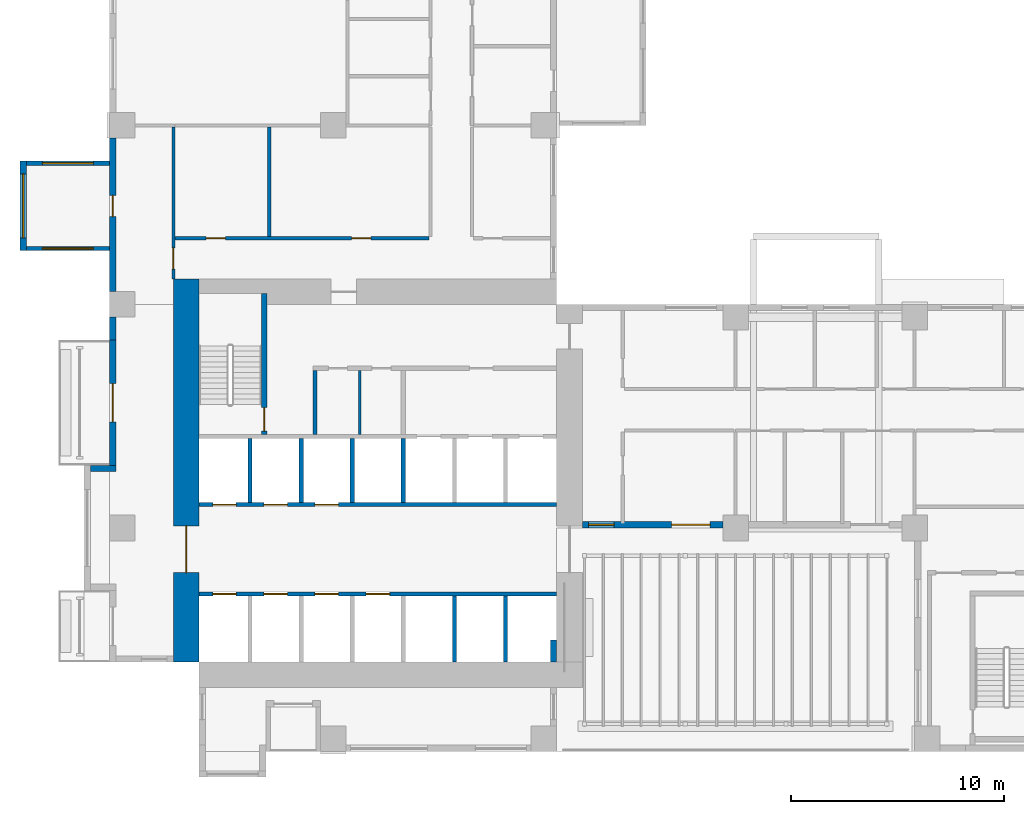
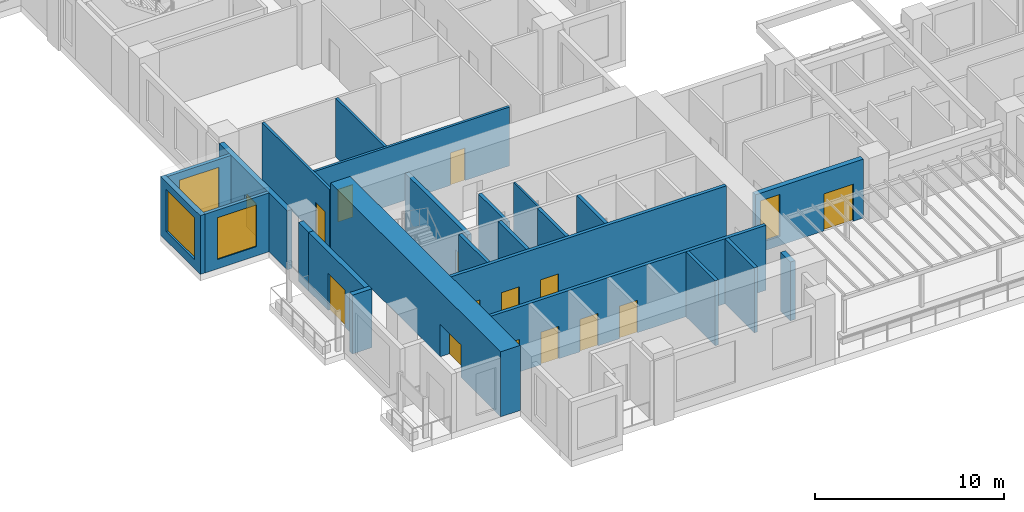
# One storey, part 4 of 17: 24 walls, 15 doors, 4 windows, 19 openings.
"""IFC4 building model written with IfcOpenShell, lengths in metres."""

from ifc_helpers import new_model, si_unit, direction, frame, frame_2d, origin, place, context, subcontext, project, spatial, rectangle, extrude, source, transform, mapped, material, layer, layer_set, type_object, element, fill, save


model = new_model("IFC4")

# Units and contexts
model_context = context("Model", 3, precision=1e-05, world=origin(), true_north=direction((0.0, 1.0)))
body_context = subcontext(model_context, "Body", "Model", "MODEL_VIEW")
ifc_project = project(units=[si_unit("LENGTHUNIT", "METRE"), si_unit("AREAUNIT", "SQUARE_METRE"), si_unit("VOLUMEUNIT", "CUBIC_METRE"), si_unit("PLANEANGLEUNIT", "RADIAN"), si_unit("MASSUNIT", "GRAM", prefix="KILO")], contexts=[model_context])

# Site, building, storey
site_placement = place(None, origin())
site = spatial("IfcSite", under=ifc_project, at=site_placement, CompositionType="ELEMENT")
building_placement = place(site_placement, origin())
building = spatial("IfcBuilding", under=site, at=building_placement, Name="Aurelian Terraces", CompositionType="ELEMENT")
storey_placement = place(building_placement, frame((0.0, 0.0, 48.9)))
storey = spatial("IfcBuildingStorey", under=building, at=storey_placement, Name="L09", CompositionType="ELEMENT", Elevation=48.9)

# Wall, opening, window
ifc_material_1 = material(Name="Concrete fc' 40 MPa", Category="concrete")
ifc_layer_1 = layer(ifc_material_1, 0.3)
ifc_layer_set_1 = layer_set([ifc_layer_1], Name="BOX BEARING WALL 300")
wall_type_1 = type_object("IfcWallType", Name="BOX BEARING WALL 300", PredefinedType="SOLIDWALL", material=ifc_layer_set_1)
wall_1_placement = place(storey_placement, frame((-4.05, 27.72, 0.0), z_axis=(0.0, 0.0, 1.0), x_axis=(0.0, -1.0, 0.0)))
wall_1 = element("IfcWall", 1, at=wall_1_placement, inside=storey, type_object=wall_type_1, Name="Box wall L09 J03", PredefinedType="SOLIDWALL", context=body_context, shape_type="SweptSolid", body=[
    extrude(rectangle(XDim=4.2, YDim=0.3, at=frame_2d((2.1, 0.0))), origin(), (0.0, 0.0, 1.0), 3.8),
])
shared_shape_1 = source(origin(), body_context, "Body", "SweptSolid", [
    extrude(rectangle(XDim=3.0, YDim=2.7, at=frame_2d((1.5, 1.35))), frame((0.0, 0.16, 0.0), z_axis=(0.0, -1.0, 0.0), x_axis=(1.0, 0.0, 0.0)), (0.0, 0.0, 1.0), 0.32),
])
opening_1_placement = place(wall_1_placement, frame((0.6, 0.0, 0.6)))
opening_1 = element("IfcOpeningElement", 2, at=opening_1_placement, cuts=wall_1, Name="Opening W3027", PredefinedType="OPENING", context=body_context, shape_type="MappedRepresentation", body=[
    mapped(shared_shape_1, transform((0.0, 0.0, 0.0), scale=1.0)),
])
ifc_material_2 = material(Name="Clear glazing", Category="glass")
window_type_1 = type_object("IfcWindowType", Name="W-3000x2700", PartitioningType="SINGLE_PANEL", PredefinedType="WINDOW", material=ifc_material_2)
shared_shape_2 = source(origin(), body_context, "Body", "SweptSolid", [
    extrude(rectangle(XDim=3.0, YDim=2.7, at=frame_2d((1.5, 1.35))), frame((0.0, 0.03, 0.0), z_axis=(0.0, -1.0, 0.0), x_axis=(1.0, 0.0, 0.0)), (0.0, 0.0, 1.0), 0.06),
])
window_1_placement = place(opening_1_placement, origin())
window_1 = element("IfcWindow", 3, at=window_1_placement, inside=storey, type_object=window_type_1, Name="Window L09 J03-F1", OverallHeight=2.7, OverallWidth=3.0, PartitioningType="SINGLE_PANEL", PredefinedType="WINDOW", context=body_context, shape_type="MappedRepresentation", body=[
    mapped(shared_shape_2, transform((0.0, 0.0, 0.0), scale=1.0)),
])
fill(opening_1, window_1)

# Wall
ifc_material_3 = material(Name="Terracotta rainscreen cladding", Category="masonry")
ifc_layer_2 = layer(ifc_material_3, 0.3)
ifc_layer_set_2 = layer_set([ifc_layer_2], Name="EW-300")
wall_type_2 = type_object("IfcWallType", Name="EW-300", PredefinedType="STANDARD", material=ifc_layer_set_2)
wall_2_placement = place(storey_placement, frame((20.85, 4.2, 0.0), z_axis=(0.0, 0.0, 1.0), x_axis=(0.0, 1.0, 0.0)))
element("IfcWall", 4, at=wall_2_placement, inside=storey, type_object=wall_type_2, Name="External wall L09 F02.4", PredefinedType="STANDARD", context=body_context, shape_type="SweptSolid", body=[
    extrude(rectangle(XDim=1.05, YDim=0.3, at=frame_2d((0.525, 0.0))), origin(), (0.0, 0.0, 1.0), 3.8),
])

# Wall, opening, door
ifc_material_4 = material(Name="Concrete fc' 83 MPa", Category="concrete")
ifc_layer_3 = layer(ifc_material_4, 1.2)
ifc_layer_set_3 = layer_set([ifc_layer_3], Name="CORE WALL 1200 FC83")
wall_type_3 = type_object("IfcWallType", Name="CORE WALL 1200 FC83", PredefinedType="SHEAR", material=ifc_layer_set_3)
shared_shape_3 = source(origin(), body_context, "Body", "SweptSolid", [
    extrude(rectangle(XDim=18.0, YDim=1.2, at=frame_2d((9.0, 0.0))), origin(), (0.0, 0.0, 1.0), 4.2),
])
wall_3_placement = place(storey_placement, frame((3.6, 4.2, 0.0), z_axis=(0.0, 0.0, 1.0), x_axis=(0.0, 1.0, 0.0)))
wall_3 = element("IfcWall", 5, at=wall_3_placement, inside=storey, type_object=wall_type_3, Name="Core wall W L09", PredefinedType="SHEAR", context=body_context, shape_type="MappedRepresentation", body=[
    mapped(shared_shape_3, transform((0.0, 0.0, 0.0), scale=1.0)),
])
shared_shape_4 = source(origin(), body_context, "Body", "SweptSolid", [
    extrude(rectangle(XDim=2.2, YDim=2.1, at=frame_2d((1.1, 1.05))), frame((0.0, 0.61, 0.0), z_axis=(0.0, -1.0, 0.0), x_axis=(1.0, 0.0, 0.0)), (0.0, 0.0, 1.0), 1.22),
])
opening_2_placement = place(wall_3_placement, frame((4.2, 0.0, 0.0)))
opening_2 = element("IfcOpeningElement", 6, at=opening_2_placement, cuts=wall_3, Name="Opening 61221", PredefinedType="OPENING", context=body_context, shape_type="MappedRepresentation", body=[
    mapped(shared_shape_4, transform((0.0, 0.0, 0.0), scale=1.0)),
])
ifc_material_5 = material(Name="Steel door leaf", Category="steel")
door_type_1 = type_object("IfcDoorType", Name="Core double door 2200x2100", OperationType="DOUBLE_DOOR_SINGLE_SWING", PredefinedType="DOOR", material=ifc_material_5)
shared_shape_5 = source(origin(), body_context, "Body", "SweptSolid", [
    extrude(rectangle(XDim=2.2, YDim=2.1, at=frame_2d((1.1, 1.05))), frame((0.0, 0.025, 0.0), z_axis=(0.0, -1.0, 0.0), x_axis=(1.0, 0.0, 0.0)), (0.0, 0.0, 1.0), 0.05),
])
door_1_placement = place(opening_2_placement, origin())
door_1 = element("IfcDoor", 7, at=door_1_placement, inside=storey, type_object=door_type_1, Name="Core door 61221", OperationType="DOUBLE_DOOR_SINGLE_SWING", OverallHeight=2.1, OverallWidth=2.2, PredefinedType="DOOR", context=body_context, shape_type="MappedRepresentation", body=[
    mapped(shared_shape_5, transform((0.0, 0.0, 0.0), scale=1.0)),
])
fill(opening_2, door_1)

shared_shape_6 = source(origin(), body_context, "Body", "SweptSolid", [
    extrude(rectangle(XDim=7.2, YDim=0.3, at=frame_2d((3.6, 0.0))), origin(), (0.0, 0.0, 1.0), 3.8),
])
wall_4_placement = place(storey_placement, frame((0.15, 28.8, 0.0), z_axis=(0.0, 0.0, 1.0), x_axis=(0.0, -1.0, 0.0)))
wall_4 = element("IfcWall", 8, at=wall_4_placement, inside=storey, type_object=wall_type_2, Name="External wall L09 F18.40", PredefinedType="STANDARD", context=body_context, shape_type="MappedRepresentation", body=[
    mapped(shared_shape_6, transform((0.0, 0.0, 0.0), scale=1.0)),
])
shared_shape_7 = source(origin(), body_context, "Body", "SweptSolid", [
    extrude(rectangle(XDim=1.0, YDim=2.1, at=frame_2d((0.5, 1.05))), frame((0.0, 0.16, 0.0), z_axis=(0.0, -1.0, 0.0), x_axis=(1.0, 0.0, 0.0)), (0.0, 0.0, 1.0), 0.32),
])
opening_3_placement = place(wall_4_placement, frame((2.68, 0.0, 0.0)))
opening_3 = element("IfcOpeningElement", 9, at=opening_3_placement, cuts=wall_4, Name="Opening 809003", PredefinedType="OPENING", context=body_context, shape_type="MappedRepresentation", body=[
    mapped(shared_shape_7, transform((0.0, 0.0, 0.0), scale=1.0)),
])
ifc_material_6 = material(Name="Timber door leaf", Category="wood")
door_type_2 = type_object("IfcDoorType", Name="Room door 1000x2100 left", OperationType="SINGLE_SWING_LEFT", PredefinedType="DOOR", material=ifc_material_6)
shared_shape_8 = source(origin(), body_context, "Body", "SweptSolid", [
    extrude(rectangle(XDim=1.0, YDim=2.1, at=frame_2d((0.5, 1.05))), frame((0.0, 0.025, 0.0), z_axis=(0.0, -1.0, 0.0), x_axis=(1.0, 0.0, 0.0)), (0.0, 0.0, 1.0), 0.05),
])
door_2_placement = place(opening_3_placement, origin())
door_2 = element("IfcDoor", 10, at=door_2_placement, inside=storey, type_object=door_type_2, Name="Door 809003", OperationType="SINGLE_SWING_LEFT", OverallHeight=2.1, OverallWidth=1.0, PredefinedType="DOOR", context=body_context, shape_type="MappedRepresentation", body=[
    mapped(shared_shape_8, transform((0.0, 0.0, 0.0), scale=1.0)),
])
fill(opening_3, door_2)

# Wall
shared_shape_9 = source(origin(), body_context, "Body", "SweptSolid", [
    extrude(rectangle(XDim=1.2, YDim=0.3, at=frame_2d((0.6, 0.0))), origin(), (0.0, 0.0, 1.0), 3.8),
])
wall_5_placement = place(storey_placement, frame((0.3, 13.29, 0.0), z_axis=(0.0, 0.0, 1.0), x_axis=(-1.0, 0.0, 0.0)))
element("IfcWall", 11, at=wall_5_placement, inside=storey, type_object=wall_type_2, Name="Bay return L09 F18.42.1", PredefinedType="STANDARD", context=body_context, shape_type="MappedRepresentation", body=[
    mapped(shared_shape_9, transform((0.0, 0.0, 0.0), scale=1.0)),
])

# Wall, opening, door
shared_shape_10 = source(origin(), body_context, "Body", "SweptSolid", [
    extrude(rectangle(XDim=5.88, YDim=0.3, at=frame_2d((2.94, 0.0))), origin(), (0.0, 0.0, 1.0), 3.8),
])
wall_6_placement = place(storey_placement, frame((0.15, 19.32, 0.0), z_axis=(0.0, 0.0, 1.0), x_axis=(0.0, -1.0, 0.0)))
wall_6 = element("IfcWall", 12, at=wall_6_placement, inside=storey, type_object=wall_type_2, Name="External wall L09 F18.41", PredefinedType="STANDARD", context=body_context, shape_type="MappedRepresentation", body=[
    mapped(shared_shape_10, transform((0.0, 0.0, 0.0), scale=1.0)),
])
shared_shape_11 = source(origin(), body_context, "Body", "SweptSolid", [
    extrude(rectangle(XDim=1.8, YDim=2.4, at=frame_2d((0.9, 1.2))), frame((0.0, 0.16, 0.0), z_axis=(0.0, -1.0, 0.0), x_axis=(1.0, 0.0, 0.0)), (0.0, 0.0, 1.0), 0.32),
])
opening_4_placement = place(wall_6_placement, frame((2.04, 0.0, 0.0)))
opening_4 = element("IfcOpeningElement", 13, at=opening_4_placement, cuts=wall_6, Name="Opening 80905", PredefinedType="OPENING", context=body_context, shape_type="MappedRepresentation", body=[
    mapped(shared_shape_11, transform((0.0, 0.0, 0.0), scale=1.0)),
])
door_type_3 = type_object("IfcDoorType", Name="BD-1800x2400", OperationType="SLIDING_TO_LEFT", PredefinedType="DOOR", material=ifc_material_2)
shared_shape_12 = source(origin(), body_context, "Body", "SweptSolid", [
    extrude(rectangle(XDim=1.8, YDim=2.4, at=frame_2d((0.9, 1.2))), frame((0.0, 0.025, 0.0), z_axis=(0.0, -1.0, 0.0), x_axis=(1.0, 0.0, 0.0)), (0.0, 0.0, 1.0), 0.05),
])
door_3_placement = place(opening_4_placement, origin())
door_3 = element("IfcDoor", 14, at=door_3_placement, inside=storey, type_object=door_type_3, Name="Balcony door L09 F18.41", OperationType="SLIDING_TO_LEFT", OverallHeight=2.4, OverallWidth=1.8, PredefinedType="DOOR", context=body_context, shape_type="MappedRepresentation", body=[
    mapped(shared_shape_12, transform((0.0, 0.0, 0.0), scale=1.0)),
])
fill(opening_4, door_3)

# Wall
shared_shape_13 = source(origin(), body_context, "Body", "SweptSolid", [
    extrude(rectangle(XDim=1.08, YDim=0.3, at=frame_2d((0.54, 0.0))), origin(), (0.0, 0.0, 1.0), 3.8),
])
wall_7_placement = place(storey_placement, frame((0.15, 20.4, 0.0), z_axis=(0.0, 0.0, 1.0), x_axis=(0.0, -1.0, 0.0)))
element("IfcWall", 15, at=wall_7_placement, inside=storey, type_object=wall_type_2, Name="External wall L09 F18.40", PredefinedType="STANDARD", context=body_context, shape_type="MappedRepresentation", body=[
    mapped(shared_shape_13, transform((0.0, 0.0, 0.0), scale=1.0)),
])

# Wall, opening, window
ifc_layer_4 = layer(ifc_material_1, 0.2)
ifc_layer_set_4 = layer_set([ifc_layer_4], Name="BOX BEARING WALL 200")
wall_type_4 = type_object("IfcWallType", Name="BOX BEARING WALL 200", PredefinedType="SOLIDWALL", material=ifc_layer_set_4)
shared_shape_14 = source(origin(), body_context, "Body", "SweptSolid", [
    extrude(rectangle(XDim=3.9, YDim=0.2, at=frame_2d((1.95, 0.0))), origin(), (0.0, 0.0, 1.0), 3.8),
])
wall_8_placement = place(storey_placement, frame((0.0, 27.62, 0.0), z_axis=(0.0, 0.0, 1.0), x_axis=(-1.0, 0.0, 0.0)))
wall_8 = element("IfcWall", 16, at=wall_8_placement, inside=storey, type_object=wall_type_4, Name="Box return L09 J03.1", PredefinedType="SOLIDWALL", context=body_context, shape_type="MappedRepresentation", body=[
    mapped(shared_shape_14, transform((0.0, 0.0, 0.0), scale=1.0)),
])
shared_shape_15 = source(origin(), body_context, "Body", "SweptSolid", [
    extrude(rectangle(XDim=2.4, YDim=2.7, at=frame_2d((1.2, 1.35))), frame((0.0, 0.11, 0.0), z_axis=(0.0, -1.0, 0.0), x_axis=(1.0, 0.0, 0.0)), (0.0, 0.0, 1.0), 0.22),
])
opening_5_placement = place(wall_8_placement, frame((0.75, 0.0, 0.6)))
opening_5 = element("IfcOpeningElement", 17, at=opening_5_placement, cuts=wall_8, Name="Opening W2427", PredefinedType="OPENING", context=body_context, shape_type="MappedRepresentation", body=[
    mapped(shared_shape_15, transform((0.0, 0.0, 0.0), scale=1.0)),
])
window_type_2 = type_object("IfcWindowType", Name="W-2400x2700", PartitioningType="SINGLE_PANEL", PredefinedType="WINDOW", material=ifc_material_2)
shared_shape_16 = source(origin(), body_context, "Body", "SweptSolid", [
    extrude(rectangle(XDim=2.4, YDim=2.7, at=frame_2d((1.2, 1.35))), frame((0.0, 0.03, 0.0), z_axis=(0.0, -1.0, 0.0), x_axis=(1.0, 0.0, 0.0)), (0.0, 0.0, 1.0), 0.06),
])
window_2_placement = place(opening_5_placement, origin())
window_2 = element("IfcWindow", 18, at=window_2_placement, inside=storey, type_object=window_type_2, Name="Window L09 J03-S1", OverallHeight=2.7, OverallWidth=2.4, PartitioningType="SINGLE_PANEL", PredefinedType="WINDOW", context=body_context, shape_type="MappedRepresentation", body=[
    mapped(shared_shape_16, transform((0.0, 0.0, 0.0), scale=1.0)),
])
fill(opening_5, window_2)

wall_9_placement = place(storey_placement, frame((0.0, 23.62, 0.0), z_axis=(0.0, 0.0, 1.0), x_axis=(-1.0, 0.0, 0.0)))
wall_9 = element("IfcWall", 19, at=wall_9_placement, inside=storey, type_object=wall_type_4, Name="Box return L09 J03.2", PredefinedType="SOLIDWALL", context=body_context, shape_type="MappedRepresentation", body=[
    mapped(shared_shape_14, transform((0.0, 0.0, 0.0), scale=1.0)),
])
opening_6_placement = place(wall_9_placement, frame((0.75, 0.0, 0.6)))
opening_6 = element("IfcOpeningElement", 20, at=opening_6_placement, cuts=wall_9, Name="Opening W2427", PredefinedType="OPENING", context=body_context, shape_type="MappedRepresentation", body=[
    mapped(shared_shape_15, transform((0.0, 0.0, 0.0), scale=1.0)),
])
window_3_placement = place(opening_6_placement, origin())
window_3 = element("IfcWindow", 21, at=window_3_placement, inside=storey, type_object=window_type_2, Name="Window L09 J03-S2", OverallHeight=2.7, OverallWidth=2.4, PartitioningType="SINGLE_PANEL", PredefinedType="WINDOW", context=body_context, shape_type="MappedRepresentation", body=[
    mapped(shared_shape_16, transform((0.0, 0.0, 0.0), scale=1.0)),
])
fill(opening_6, window_3)

# Wall, openings, door, window
shared_shape_17 = source(origin(), body_context, "Body", "SweptSolid", [
    extrude(rectangle(XDim=6.6, YDim=0.3, at=frame_2d((3.3, 0.0))), origin(), (0.0, 0.0, 1.0), 3.8),
])
wall_10_placement = place(storey_placement, frame((22.2, 10.65, 0.0), z_axis=(0.0, 0.0, 1.0), x_axis=(1.0, 0.0, 0.0)))
wall_10 = element("IfcWall", 22, at=wall_10_placement, inside=storey, type_object=wall_type_2, Name="External wall L09 F03.6", PredefinedType="STANDARD", context=body_context, shape_type="MappedRepresentation", body=[
    mapped(shared_shape_17, transform((0.0, 0.0, 0.0), scale=1.0)),
])
shared_shape_18 = source(origin(), body_context, "Body", "SweptSolid", [
    extrude(rectangle(XDim=1.2, YDim=2.7, at=frame_2d((0.6, 1.35))), frame((0.0, 0.16, 0.0), z_axis=(0.0, -1.0, 0.0), x_axis=(1.0, 0.0, 0.0)), (0.0, 0.0, 1.0), 0.32),
])
opening_7_placement = place(wall_10_placement, frame((0.3, 0.0, 0.6)))
opening_7 = element("IfcOpeningElement", 23, at=opening_7_placement, cuts=wall_10, Name="Opening W1227", PredefinedType="OPENING", context=body_context, shape_type="MappedRepresentation", body=[
    mapped(shared_shape_18, transform((0.0, 0.0, 0.0), scale=1.0)),
])
opening_8_placement = place(wall_10_placement, frame((4.2, 0.0, 0.0)))
opening_8 = element("IfcOpeningElement", 24, at=opening_8_placement, cuts=wall_10, Name="Opening 80902", PredefinedType="OPENING", context=body_context, shape_type="MappedRepresentation", body=[
    mapped(shared_shape_11, transform((0.0, 0.0, 0.0), scale=1.0)),
])
door_4_placement = place(opening_8_placement, origin())
door_4 = element("IfcDoor", 25, at=door_4_placement, inside=storey, type_object=door_type_3, Name="Terrace door L09 L09-F03-06.2", OperationType="SLIDING_TO_LEFT", OverallHeight=2.4, OverallWidth=1.8, PredefinedType="DOOR", context=body_context, shape_type="MappedRepresentation", body=[
    mapped(shared_shape_12, transform((0.0, 0.0, 0.0), scale=1.0)),
])
fill(opening_8, door_4)
window_type_3 = type_object("IfcWindowType", Name="W-1200x2700", PartitioningType="SINGLE_PANEL", PredefinedType="WINDOW", material=ifc_material_2)
shared_shape_19 = source(origin(), body_context, "Body", "SweptSolid", [
    extrude(rectangle(XDim=1.2, YDim=2.7, at=frame_2d((0.6, 1.35))), frame((0.0, 0.03, 0.0), z_axis=(0.0, -1.0, 0.0), x_axis=(1.0, 0.0, 0.0)), (0.0, 0.0, 1.0), 0.06),
])
window_4_placement = place(opening_7_placement, origin())
window_4 = element("IfcWindow", 26, at=window_4_placement, inside=storey, type_object=window_type_3, Name="Window L09 L09-F03-06-0", OverallHeight=2.7, OverallWidth=1.2, PartitioningType="SINGLE_PANEL", PredefinedType="WINDOW", context=body_context, shape_type="MappedRepresentation", body=[
    mapped(shared_shape_19, transform((0.0, 0.0, 0.0), scale=1.0)),
])
fill(opening_7, window_4)

# Walls
ifc_layer_5 = layer(ifc_material_1, 0.2)
ifc_layer_set_5 = layer_set([ifc_layer_5], Name="Lift shaft wall 200")
wall_type_5 = type_object("IfcWallType", Name="Lift shaft wall 200", PredefinedType="SOLIDWALL", material=ifc_layer_set_5)
shared_shape_20 = source(origin(), body_context, "Body", "SweptSolid", [
    extrude(rectangle(XDim=3.1, YDim=0.2, at=frame_2d((1.55, 0.0))), origin(), (0.0, 0.0, 1.0), 4.2),
])
for number, where, z_axis, x_axis, name in (
    (27, (16.2, 4.2, 0.0), (0.0, 0.0, 1.0), (0.0, 1.0, 0.0), "L09 core wall CD-A5"),
    (28, (18.6, 4.2, 0.0), (0.0, 0.0, 1.0), (0.0, 1.0, 0.0), "L09 core wall CD-A6"),
):
    element("IfcWall", number, at=place(storey_placement, frame(where, z_axis=z_axis, x_axis=x_axis)), inside=storey, type_object=wall_type_5, Name=name, PredefinedType="SOLIDWALL", context=body_context, shape_type="MappedRepresentation", body=[
        mapped(shared_shape_20, transform((0.0, 0.0, 0.0), scale=1.0)),
    ])
shared_shape_21 = source(origin(), body_context, "Body", "SweptSolid", [
    extrude(rectangle(XDim=3.0, YDim=0.2, at=frame_2d((1.5, 0.0))), origin(), (0.0, 0.0, 1.0), 4.2),
])
for number, where, z_axis, x_axis, name in (
    (29, (6.6, 11.7, 0.0), (0.0, 0.0, 1.0), (0.0, 1.0, 0.0), "L09 core wall CD-B1"),
    (30, (9.0, 11.7, 0.0), (0.0, 0.0, 1.0), (0.0, 1.0, 0.0), "L09 core wall CD-B2"),
    (31, (11.4, 11.7, 0.0), (0.0, 0.0, 1.0), (0.0, 1.0, 0.0), "L09 core wall CD-B3"),
    (32, (13.8, 11.7, 0.0), (0.0, 0.0, 1.0), (0.0, 1.0, 0.0), "L09 core wall CD-B4"),
):
    element("IfcWall", number, at=place(storey_placement, frame(where, z_axis=z_axis, x_axis=x_axis)), inside=storey, type_object=wall_type_5, Name=name, PredefinedType="SOLIDWALL", context=body_context, shape_type="MappedRepresentation", body=[
        mapped(shared_shape_21, transform((0.0, 0.0, 0.0), scale=1.0)),
    ])

# Wall, openings, doors
shared_shape_22 = source(origin(), body_context, "Body", "SweptSolid", [
    extrude(rectangle(XDim=16.8, YDim=0.2, at=frame_2d((8.4, 0.0))), origin(), (0.0, 0.0, 1.0), 4.2),
])
wall_11_placement = place(storey_placement, frame((4.2, 7.4, 0.0), z_axis=(0.0, 0.0, 1.0), x_axis=(1.0, 0.0, 0.0)))
wall_11 = element("IfcWall", 33, at=wall_11_placement, inside=storey, type_object=wall_type_5, Name="L09 core wall CF-AF1", PredefinedType="SOLIDWALL", context=body_context, shape_type="MappedRepresentation", body=[
    mapped(shared_shape_22, transform((0.0, 0.0, 0.0), scale=1.0)),
])
shared_shape_23 = source(origin(), body_context, "Body", "SweptSolid", [
    extrude(rectangle(XDim=1.1, YDim=2.1, at=frame_2d((0.55, 1.05))), frame((0.0, 0.11, 0.0), z_axis=(0.0, -1.0, 0.0), x_axis=(1.0, 0.0, 0.0)), (0.0, 0.0, 1.0), 0.22),
])
opening_9_placement = place(wall_11_placement, frame((0.65, 0.0, 0.0)))
opening_9 = element("IfcOpeningElement", 34, at=opening_9_placement, cuts=wall_11, Name="Opening 61200", PredefinedType="OPENING", context=body_context, shape_type="MappedRepresentation", body=[
    mapped(shared_shape_23, transform((0.0, 0.0, 0.0), scale=1.0)),
])
opening_10_placement = place(wall_11_placement, frame((3.05, 0.0, 0.0)))
opening_10 = element("IfcOpeningElement", 35, at=opening_10_placement, cuts=wall_11, Name="Opening 61201", PredefinedType="OPENING", context=body_context, shape_type="MappedRepresentation", body=[
    mapped(shared_shape_23, transform((0.0, 0.0, 0.0), scale=1.0)),
])
opening_11_placement = place(wall_11_placement, frame((5.45, 0.0, 0.0)))
opening_11 = element("IfcOpeningElement", 36, at=opening_11_placement, cuts=wall_11, Name="Opening 61202", PredefinedType="OPENING", context=body_context, shape_type="MappedRepresentation", body=[
    mapped(shared_shape_23, transform((0.0, 0.0, 0.0), scale=1.0)),
])
opening_12_placement = place(wall_11_placement, frame((7.85, 0.0, 0.0)))
opening_12 = element("IfcOpeningElement", 37, at=opening_12_placement, cuts=wall_11, Name="Opening 61203", PredefinedType="OPENING", context=body_context, shape_type="MappedRepresentation", body=[
    mapped(shared_shape_23, transform((0.0, 0.0, 0.0), scale=1.0)),
])
ifc_material_7 = material(Name="Stainless steel", Category="steel")
door_type_4 = type_object("IfcDoorType", Name="Lift landing door 1100x2100", OperationType="SLIDING_TO_LEFT", PredefinedType="DOOR", material=ifc_material_7)
shared_shape_24 = source(origin(), body_context, "Body", "SweptSolid", [
    extrude(rectangle(XDim=1.1, YDim=2.1, at=frame_2d((0.55, 1.05))), frame((0.0, 0.025, 0.0), z_axis=(0.0, -1.0, 0.0), x_axis=(1.0, 0.0, 0.0)), (0.0, 0.0, 1.0), 0.05),
])
door_5_placement = place(opening_9_placement, origin())
door_5 = element("IfcDoor", 38, at=door_5_placement, inside=storey, type_object=door_type_4, Name="Lift landing door LL1 L09", OperationType="SLIDING_TO_LEFT", OverallHeight=2.1, OverallWidth=1.1, PredefinedType="DOOR", context=body_context, shape_type="MappedRepresentation", body=[
    mapped(shared_shape_24, transform((0.0, 0.0, 0.0), scale=1.0)),
])
fill(opening_9, door_5)
door_6_placement = place(opening_10_placement, origin())
door_6 = element("IfcDoor", 39, at=door_6_placement, inside=storey, type_object=door_type_4, Name="Lift landing door LL2 L09", OperationType="SLIDING_TO_LEFT", OverallHeight=2.1, OverallWidth=1.1, PredefinedType="DOOR", context=body_context, shape_type="MappedRepresentation", body=[
    mapped(shared_shape_24, transform((0.0, 0.0, 0.0), scale=1.0)),
])
fill(opening_10, door_6)
door_7_placement = place(opening_11_placement, origin())
door_7 = element("IfcDoor", 40, at=door_7_placement, inside=storey, type_object=door_type_4, Name="Lift landing door LL3 L09", OperationType="SLIDING_TO_LEFT", OverallHeight=2.1, OverallWidth=1.1, PredefinedType="DOOR", context=body_context, shape_type="MappedRepresentation", body=[
    mapped(shared_shape_24, transform((0.0, 0.0, 0.0), scale=1.0)),
])
fill(opening_11, door_7)
door_8_placement = place(opening_12_placement, origin())
door_8 = element("IfcDoor", 41, at=door_8_placement, inside=storey, type_object=door_type_4, Name="Lift landing door LL4 L09", OperationType="SLIDING_TO_LEFT", OverallHeight=2.1, OverallWidth=1.1, PredefinedType="DOOR", context=body_context, shape_type="MappedRepresentation", body=[
    mapped(shared_shape_24, transform((0.0, 0.0, 0.0), scale=1.0)),
])
fill(opening_12, door_8)

wall_12_placement = place(storey_placement, frame((4.2, 11.6, 0.0), z_axis=(0.0, 0.0, 1.0), x_axis=(1.0, 0.0, 0.0)))
wall_12 = element("IfcWall", 42, at=wall_12_placement, inside=storey, type_object=wall_type_5, Name="L09 core wall CF-BF1", PredefinedType="SOLIDWALL", context=body_context, shape_type="MappedRepresentation", body=[
    mapped(shared_shape_22, transform((0.0, 0.0, 0.0), scale=1.0)),
])
opening_13_placement = place(wall_12_placement, frame((0.65, 0.0, 0.0)))
opening_13 = element("IfcOpeningElement", 43, at=opening_13_placement, cuts=wall_12, Name="Opening 61204", PredefinedType="OPENING", context=body_context, shape_type="MappedRepresentation", body=[
    mapped(shared_shape_23, transform((0.0, 0.0, 0.0), scale=1.0)),
])
opening_14_placement = place(wall_12_placement, frame((3.05, 0.0, 0.0)))
opening_14 = element("IfcOpeningElement", 44, at=opening_14_placement, cuts=wall_12, Name="Opening 61205", PredefinedType="OPENING", context=body_context, shape_type="MappedRepresentation", body=[
    mapped(shared_shape_23, transform((0.0, 0.0, 0.0), scale=1.0)),
])
opening_15_placement = place(wall_12_placement, frame((5.45, 0.0, 0.0)))
opening_15 = element("IfcOpeningElement", 45, at=opening_15_placement, cuts=wall_12, Name="Opening 61206", PredefinedType="OPENING", context=body_context, shape_type="MappedRepresentation", body=[
    mapped(shared_shape_23, transform((0.0, 0.0, 0.0), scale=1.0)),
])
door_9_placement = place(opening_13_placement, origin())
door_9 = element("IfcDoor", 46, at=door_9_placement, inside=storey, type_object=door_type_4, Name="Lift landing door LL5 L09", OperationType="SLIDING_TO_LEFT", OverallHeight=2.1, OverallWidth=1.1, PredefinedType="DOOR", context=body_context, shape_type="MappedRepresentation", body=[
    mapped(shared_shape_24, transform((0.0, 0.0, 0.0), scale=1.0)),
])
fill(opening_13, door_9)
door_10_placement = place(opening_14_placement, origin())
door_10 = element("IfcDoor", 47, at=door_10_placement, inside=storey, type_object=door_type_4, Name="Lift landing door LL6 L09", OperationType="SLIDING_TO_LEFT", OverallHeight=2.1, OverallWidth=1.1, PredefinedType="DOOR", context=body_context, shape_type="MappedRepresentation", body=[
    mapped(shared_shape_24, transform((0.0, 0.0, 0.0), scale=1.0)),
])
fill(opening_14, door_10)
door_11_placement = place(opening_15_placement, origin())
door_11 = element("IfcDoor", 48, at=door_11_placement, inside=storey, type_object=door_type_4, Name="Lift landing door LL7 L09", OperationType="SLIDING_TO_LEFT", OverallHeight=2.1, OverallWidth=1.1, PredefinedType="DOOR", context=body_context, shape_type="MappedRepresentation", body=[
    mapped(shared_shape_24, transform((0.0, 0.0, 0.0), scale=1.0)),
])
fill(opening_15, door_11)

# Walls
ifc_material_8 = material(Name="Gypsum board on steel studs", Category="steel")
ifc_layer_6 = layer(ifc_material_8, 0.2)
ifc_layer_set_6 = layer_set([ifc_layer_6], Name="Core partition 200")
wall_type_6 = type_object("IfcWallType", Name="Core partition 200", PredefinedType="PARTITIONING", material=ifc_layer_set_6)
shared_shape_25 = source(origin(), body_context, "Body", "SweptSolid", [
    extrude(rectangle(XDim=3.0, YDim=0.2, at=frame_2d((1.5, 0.0))), origin(), (0.0, 0.0, 1.0), 3.8),
])
wall_13_placement = place(storey_placement, frame((9.65, 14.9, 0.0), z_axis=(0.0, 0.0, 1.0), x_axis=(0.0, 1.0, 0.0)))
element("IfcWall", 49, at=wall_13_placement, inside=storey, type_object=wall_type_6, Name="L09 core wall CP-VEST", PredefinedType="PARTITIONING", context=body_context, shape_type="MappedRepresentation", body=[
    mapped(shared_shape_25, transform((0.0, 0.0, 0.0), scale=1.0)),
])
ifc_layer_7 = layer(ifc_material_8, 0.1)
ifc_layer_set_7 = layer_set([ifc_layer_7], Name="Core partition 100")
wall_type_7 = type_object("IfcWallType", Name="Core partition 100", PredefinedType="PARTITIONING", material=ifc_layer_set_7)
shared_shape_26 = source(origin(), body_context, "Body", "SweptSolid", [
    extrude(rectangle(XDim=3.0, YDim=0.1, at=frame_2d((1.5, 0.0))), origin(), (0.0, 0.0, 1.0), 3.8),
])
wall_14_placement = place(storey_placement, frame((11.75, 14.9, 0.0), z_axis=(0.0, 0.0, 1.0), x_axis=(0.0, 1.0, 0.0)))
element("IfcWall", 50, at=wall_14_placement, inside=storey, type_object=wall_type_7, Name="L09 core wall CP-SV1", PredefinedType="PARTITIONING", context=body_context, shape_type="MappedRepresentation", body=[
    mapped(shared_shape_26, transform((0.0, 0.0, 0.0), scale=1.0)),
])

# Wall, opening, door
ifc_layer_8 = layer(ifc_material_1, 0.25)
ifc_layer_set_8 = layer_set([ifc_layer_8], Name="Stair enclosure wall 250")
wall_type_8 = type_object("IfcWallType", Name="Stair enclosure wall 250", PredefinedType="SOLIDWALL", material=ifc_layer_set_8)
shared_shape_27 = source(origin(), body_context, "Body", "SweptSolid", [
    extrude(rectangle(XDim=6.6, YDim=0.25, at=frame_2d((3.3, 0.0))), origin(), (0.0, 0.0, 1.0), 3.8),
])
wall_15_placement = place(storey_placement, frame((7.275, 14.9, 0.0), z_axis=(0.0, 0.0, 1.0), x_axis=(0.0, 1.0, 0.0)))
wall_15 = element("IfcWall", 51, at=wall_15_placement, inside=storey, type_object=wall_type_8, Name="L09 core wall ST-S1-E", PredefinedType="SOLIDWALL", context=body_context, shape_type="MappedRepresentation", body=[
    mapped(shared_shape_27, transform((0.0, 0.0, 0.0), scale=1.0)),
])
shared_shape_28 = source(origin(), body_context, "Body", "SweptSolid", [
    extrude(rectangle(XDim=1.1, YDim=2.1, at=frame_2d((0.55, 1.05))), frame((0.0, 0.135, 0.0), z_axis=(0.0, -1.0, 0.0), x_axis=(1.0, 0.0, 0.0)), (0.0, 0.0, 1.0), 0.27),
])
opening_16_placement = place(wall_15_placement, frame((0.15, 0.0, 0.0)))
opening_16 = element("IfcOpeningElement", 52, at=opening_16_placement, cuts=wall_15, Name="Opening 61210", PredefinedType="OPENING", context=body_context, shape_type="MappedRepresentation", body=[
    mapped(shared_shape_28, transform((0.0, 0.0, 0.0), scale=1.0)),
])
door_type_5 = type_object("IfcDoorType", Name="Core fire door 1100x2100", OperationType="SINGLE_SWING_LEFT", PredefinedType="DOOR", material=ifc_material_5)
door_12_placement = place(opening_16_placement, origin())
door_12 = element("IfcDoor", 53, at=door_12_placement, inside=storey, type_object=door_type_5, Name="Stair door 61210", OperationType="SINGLE_SWING_LEFT", OverallHeight=2.1, OverallWidth=1.1, PredefinedType="DOOR", context=body_context, shape_type="MappedRepresentation", body=[
    mapped(shared_shape_24, transform((0.0, 0.0, 0.0), scale=1.0)),
])
fill(opening_16, door_12)

# Wall
ifc_layer_9 = layer(ifc_material_8, 0.15)
ifc_layer_set_9 = layer_set([ifc_layer_9], Name="Partition 150")
wall_type_9 = type_object("IfcWallType", Name="Partition 150", PredefinedType="PARTITIONING", material=ifc_layer_set_9)
shared_shape_29 = source(origin(), body_context, "Body", "SweptSolid", [
    extrude(rectangle(XDim=5.15, YDim=0.15, at=frame_2d((2.575, 0.0))), origin(), (0.0, 0.0, 1.0), 3.8),
])
wall_16_placement = place(storey_placement, frame((7.5, 24.175, 0.0), z_axis=(0.0, 0.0, 1.0), x_axis=(0.0, 1.0, 0.0)))
element("IfcWall", 54, at=wall_16_placement, inside=storey, type_object=wall_type_9, Name="Partition", PredefinedType="PARTITIONING", context=body_context, shape_type="MappedRepresentation", body=[
    mapped(shared_shape_29, transform((0.0, 0.0, 0.0), scale=1.0)),
])

# Wall, openings, doors
shared_shape_30 = source(origin(), body_context, "Body", "SweptSolid", [
    extrude(rectangle(XDim=11.925, YDim=0.15, at=frame_2d((5.9625, 0.0))), origin(), (0.0, 0.0, 1.0), 3.8),
])
wall_17_placement = place(storey_placement, frame((3.075, 24.1, 0.0), z_axis=(0.0, 0.0, 1.0), x_axis=(1.0, 0.0, 0.0)))
wall_17 = element("IfcWall", 55, at=wall_17_placement, inside=storey, type_object=wall_type_9, Name="Partition", PredefinedType="PARTITIONING", context=body_context, shape_type="MappedRepresentation", body=[
    mapped(shared_shape_30, transform((0.0, 0.0, 0.0), scale=1.0)),
])
shared_shape_31 = source(origin(), body_context, "Body", "SweptSolid", [
    extrude(rectangle(XDim=0.9, YDim=2.1, at=frame_2d((0.45, 1.05))), frame((0.0, 0.085, 0.0), z_axis=(0.0, -1.0, 0.0), x_axis=(1.0, 0.0, 0.0)), (0.0, 0.0, 1.0), 0.17),
])
opening_17_placement = place(wall_17_placement, frame((1.4625, 0.0, 0.0)))
opening_17 = element("IfcOpeningElement", 56, at=opening_17_placement, cuts=wall_17, Name="Opening 709026", PredefinedType="OPENING", context=body_context, shape_type="MappedRepresentation", body=[
    mapped(shared_shape_31, transform((0.0, 0.0, 0.0), scale=1.0)),
])
opening_18_placement = place(wall_17_placement, frame((8.3, 0.0, 0.0)))
opening_18 = element("IfcOpeningElement", 57, at=opening_18_placement, cuts=wall_17, Name="Opening 709027", PredefinedType="OPENING", context=body_context, shape_type="MappedRepresentation", body=[
    mapped(shared_shape_31, transform((0.0, 0.0, 0.0), scale=1.0)),
])
door_type_6 = type_object("IfcDoorType", Name="Room door 900x2100 right", OperationType="SINGLE_SWING_RIGHT", PredefinedType="DOOR", material=ifc_material_6)
shared_shape_32 = source(origin(), body_context, "Body", "SweptSolid", [
    extrude(rectangle(XDim=0.9, YDim=2.1, at=frame_2d((0.45, 1.05))), frame((0.0, 0.025, 0.0), z_axis=(0.0, -1.0, 0.0), x_axis=(1.0, 0.0, 0.0)), (0.0, 0.0, 1.0), 0.05),
])
door_13_placement = place(opening_17_placement, origin())
door_13 = element("IfcDoor", 58, at=door_13_placement, inside=storey, type_object=door_type_6, Name="Door 709026", OperationType="SINGLE_SWING_RIGHT", OverallHeight=2.1, OverallWidth=0.9, PredefinedType="DOOR", context=body_context, shape_type="MappedRepresentation", body=[
    mapped(shared_shape_32, transform((0.0, 0.0, 0.0), scale=1.0)),
])
fill(opening_17, door_13)
door_type_7 = type_object("IfcDoorType", Name="Room door 900x2100 left", OperationType="SINGLE_SWING_LEFT", PredefinedType="DOOR", material=ifc_material_6)
door_14_placement = place(opening_18_placement, origin())
door_14 = element("IfcDoor", 59, at=door_14_placement, inside=storey, type_object=door_type_7, Name="Door 709027", OperationType="SINGLE_SWING_LEFT", OverallHeight=2.1, OverallWidth=0.9, PredefinedType="DOOR", context=body_context, shape_type="MappedRepresentation", body=[
    mapped(shared_shape_32, transform((0.0, 0.0, 0.0), scale=1.0)),
])
fill(opening_18, door_14)

# Wall, opening, door
shared_shape_33 = source(origin(), body_context, "Body", "SweptSolid", [
    extrude(rectangle(XDim=7.125, YDim=0.15, at=frame_2d((3.5625, 0.0))), origin(), (0.0, 0.0, 1.0), 3.8),
])
wall_18_placement = place(storey_placement, frame((3.0, 29.325, 0.0), z_axis=(0.0, 0.0, 1.0), x_axis=(0.0, -1.0, 0.0)))
wall_18 = element("IfcWall", 60, at=wall_18_placement, inside=storey, type_object=wall_type_9, Name="Partition", PredefinedType="PARTITIONING", context=body_context, shape_type="MappedRepresentation", body=[
    mapped(shared_shape_33, transform((0.0, 0.0, 0.0), scale=1.0)),
])
shared_shape_34 = source(origin(), body_context, "Body", "SweptSolid", [
    extrude(rectangle(XDim=1.0, YDim=2.1, at=frame_2d((0.5, 1.05))), frame((0.0, 0.085, 0.0), z_axis=(0.0, -1.0, 0.0), x_axis=(1.0, 0.0, 0.0)), (0.0, 0.0, 1.0), 0.17),
])
opening_19_placement = place(wall_18_placement, frame((5.675, 0.0, 0.0)))
opening_19 = element("IfcOpeningElement", 61, at=opening_19_placement, cuts=wall_18, Name="Opening 709029", PredefinedType="OPENING", context=body_context, shape_type="MappedRepresentation", body=[
    mapped(shared_shape_34, transform((0.0, 0.0, 0.0), scale=1.0)),
])
door_15_placement = place(opening_19_placement, origin())
door_15 = element("IfcDoor", 62, at=door_15_placement, inside=storey, type_object=door_type_2, Name="Door 709029", OperationType="SINGLE_SWING_LEFT", OverallHeight=2.1, OverallWidth=1.0, PredefinedType="DOOR", context=body_context, shape_type="MappedRepresentation", body=[
    mapped(shared_shape_8, transform((0.0, 0.0, 0.0), scale=1.0)),
])
fill(opening_19, door_15)

save(model, "model.ifc")
